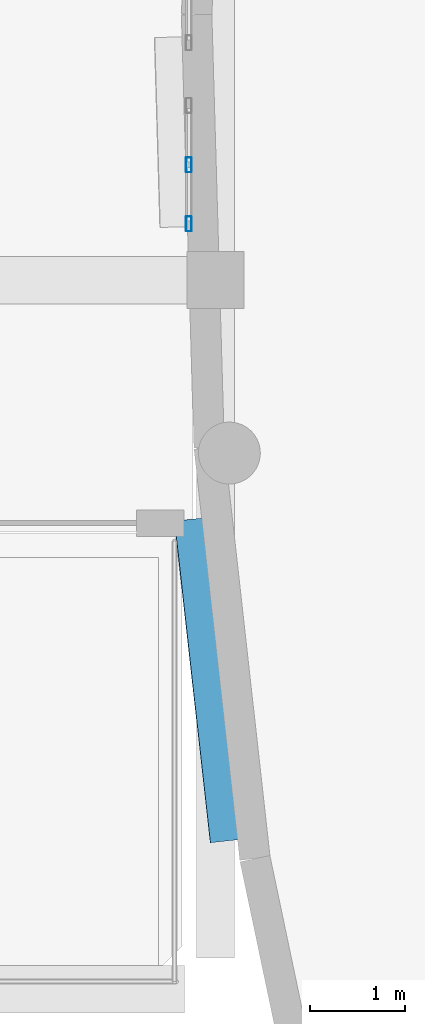
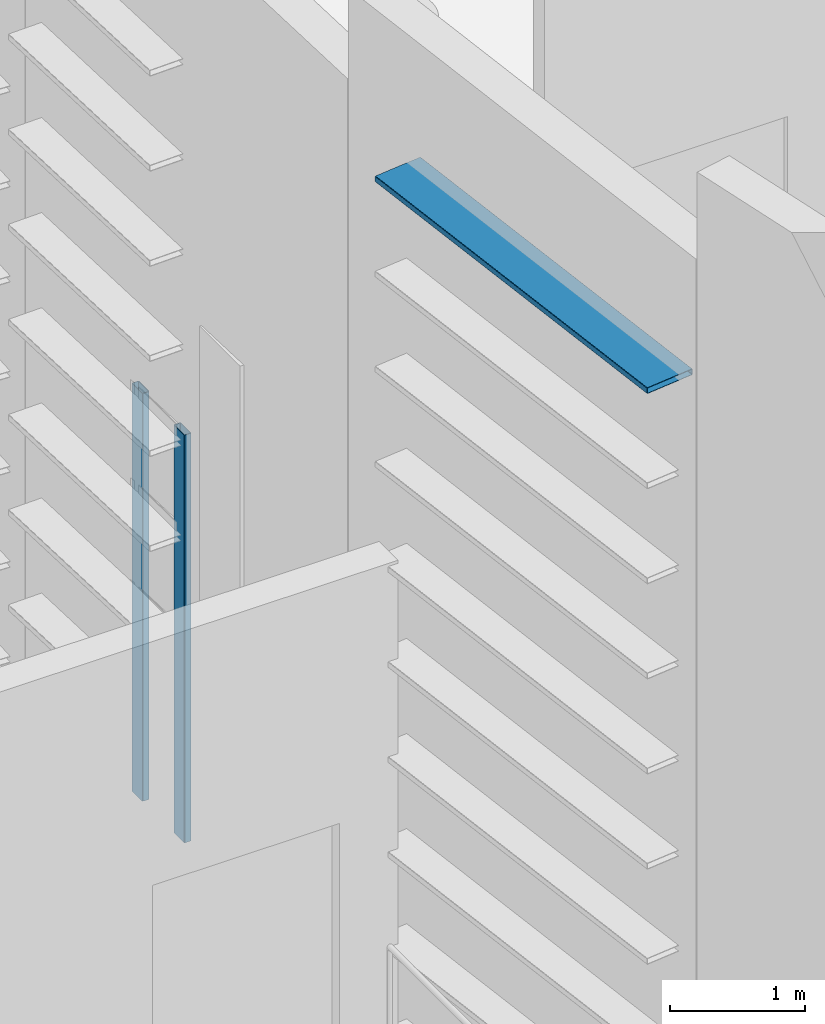
# One storey, part 32 of 104: 3 members, 1 element without a shape of its own.
"""IFC4 building model written with IfcOpenShell, lengths in metres."""

from ifc_helpers import new_model, si_unit, direction, frame, origin, origin_2d, place, context, subcontext, project, spatial, hollow_rectangle, extrude, material, material_profile, profile_set, type_object, element, aggregate, save


model = new_model("IFC4")

# Units and contexts
model_context = context("Model", 3, precision=1e-05, world=origin(), true_north=direction((0.0, 1.0)))
body_context = subcontext(model_context, "Body", "Model", "MODEL_VIEW")
ifc_project = project(units=[si_unit("LENGTHUNIT", "METRE"), si_unit("AREAUNIT", "SQUARE_METRE"), si_unit("VOLUMEUNIT", "CUBIC_METRE"), si_unit("PLANEANGLEUNIT", "RADIAN"), si_unit("MASSUNIT", "GRAM", prefix="KILO")], contexts=[model_context])

# Site, building, storey
site_placement = place(None, origin())
site = spatial("IfcSite", under=ifc_project, at=site_placement, CompositionType="ELEMENT")
building_placement = place(site_placement, origin())
building = spatial("IfcBuilding", under=site, at=building_placement, Name="Kaelora Sail Theatre", CompositionType="ELEMENT")
storey_placement = place(building_placement, frame((0.0, 0.0, 5.39990234375)))
storey = spatial("IfcBuildingStorey", under=building, at=storey_placement, Name="L01", CompositionType="ELEMENT", Elevation=5.39990234375)

# Member
ifc_material_1 = material(Name="Anodised aluminium 6063-T6", Category="aluminium")
ifc_material_profile_1 = material_profile(ifc_material_1, hollow_rectangle(XDim=0.419921875, YDim=0.054931640625, WallThickness=0.00390625, InnerFilletRadius=0.00390625, OuterFilletRadius=0.008056640625, at=origin_2d()), Name="LOUVRE 420x55x4")
ifc_profile_set_1 = profile_set([ifc_material_profile_1], Name="Anodised aluminium 6063-T6")
member_type_1 = type_object("IfcMemberType", Name="ARC-MEM-LVR-420", PredefinedType="USERDEFINED", material=ifc_profile_set_1)
member_1_placement = place(storey_placement, frame((123.151611328125, 40.25830078125, 7.89013671875), z_axis=(-0.110786598659, 0.993844217952, 0.0), x_axis=(-0.993844217952, -0.110786598659, 0.0)))
element("IfcMember", 1, at=member_1_placement, inside=storey, type_object=member_type_1, Name="Black-Box and Experimental Sail Wing horizontal solar louvre C18-15", ObjectType="LOUVRE", PredefinedType="USERDEFINED", context=body_context, shape_type="SweptSolid", body=[
    extrude(hollow_rectangle(XDim=0.419921875, YDim=0.054931640625, WallThickness=0.00390625, InnerFilletRadius=0.00390625, OuterFilletRadius=0.008056640625, at=origin_2d()), origin(), (0.0, 0.0, 1.0), 3.39599609375),
])

# Curtain wall, members
ifc_material_2 = material(Name="Anodised aluminium and solar-control low-E IGU", Category="aluminium")
curtain_wall_type = type_object("IfcCurtainWallType", Name="ARC-CW-CW-PROW", PredefinedType="NOTDEFINED", material=ifc_material_2)
curtain_wall_placement = place(storey_placement, origin())
curtain_wall = element("IfcCurtainWall", 2, at=curtain_wall_placement, inside=storey, type_object=curtain_wall_type, Name="East Interstitial Foyer East Glazed Return L01-01", PredefinedType="NOTDEFINED")
ifc_material_3 = material(Name="Anodised aluminium 6063-T6", Category="aluminium")
ifc_material_profile_2 = material_profile(ifc_material_3, hollow_rectangle(XDim=0.06005859375, YDim=0.159912109375, WallThickness=0.00390625, InnerFilletRadius=0.00390625, OuterFilletRadius=0.008056640625, at=origin_2d()), Name="ALU-MULL 60x160x4")
ifc_profile_set_2 = profile_set([ifc_material_profile_2], Name="Anodised aluminium 6063-T6")
member_type_2 = type_object("IfcMemberType", Name="ARC-MEM-ML-160", PredefinedType="MULLION", material=ifc_profile_set_2)
member_2_placement = place(storey_placement, frame((122.719970703125, 46.72998046875, 0.0), z_axis=(0.0, 0.0, 1.0), x_axis=(-1.0, 0.0, 0.0)))
member_2 = element("IfcMember", 3, at=member_2_placement, type_object=member_type_2, Name="CW-PROW mullion 1", PredefinedType="MULLION", context=body_context, shape_type="SweptSolid", body=[
    extrude(hollow_rectangle(XDim=0.06005859375, YDim=0.159912109375, WallThickness=0.00390625, InnerFilletRadius=0.00390625, OuterFilletRadius=0.008056640625, at=origin_2d()), origin(), (0.0, 0.0, 1.0), 3.68701171875),
])
member_3_placement = place(storey_placement, frame((122.719970703125, 47.35009765625, 0.0), z_axis=(0.0, 0.0, 1.0), x_axis=(-1.0, 0.0, 0.0)))
member_3 = element("IfcMember", 4, at=member_3_placement, type_object=member_type_2, Name="CW-PROW mullion 2", PredefinedType="MULLION", context=body_context, shape_type="SweptSolid", body=[
    extrude(hollow_rectangle(XDim=0.06005859375, YDim=0.159912109375, WallThickness=0.00390625, InnerFilletRadius=0.00390625, OuterFilletRadius=0.008056640625, at=origin_2d()), origin(), (0.0, 0.0, 1.0), 3.68701171875),
])
aggregate(curtain_wall, [member_2, member_3])

save(model, "model.ifc")
